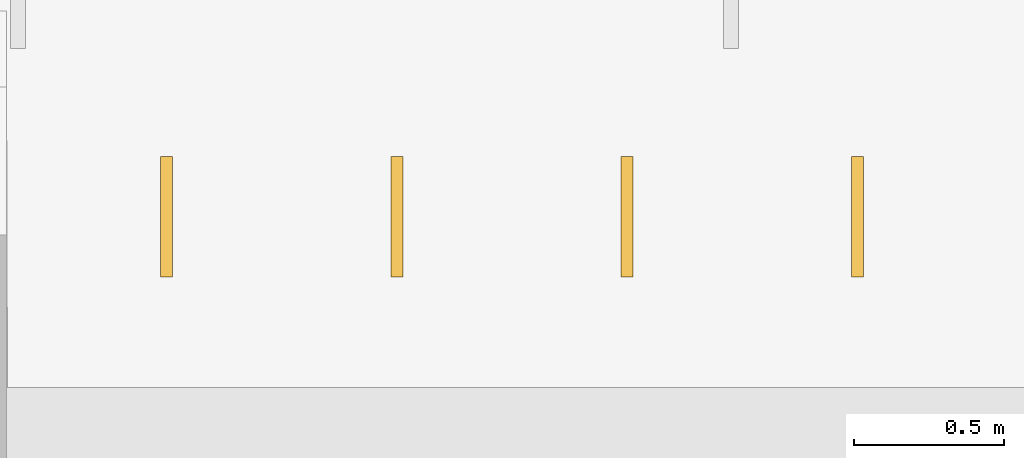
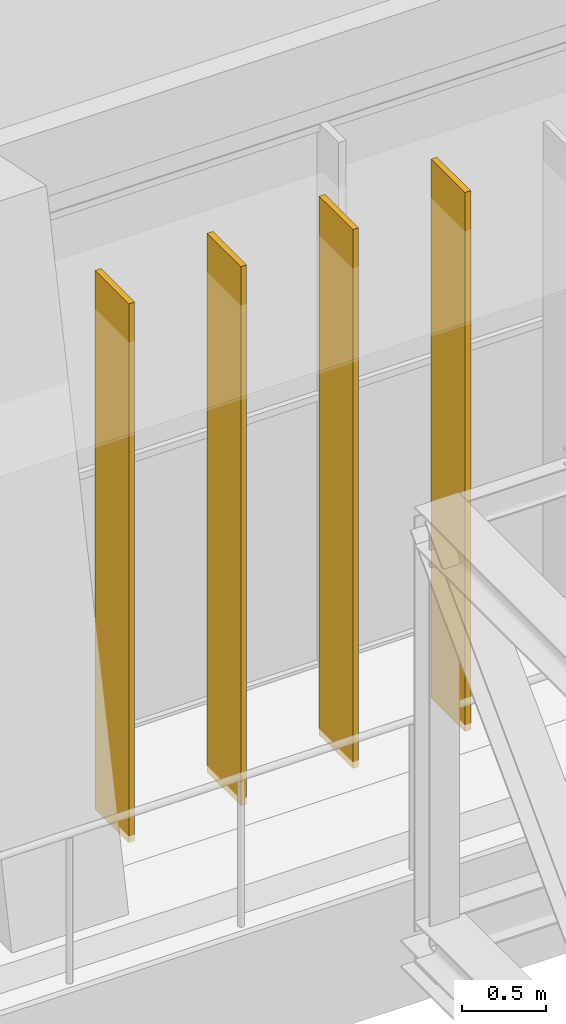
# One storey, part 132 of 141: 4 shading devices.
"""IFC4 building model written with IfcOpenShell, lengths in metres."""

from ifc_helpers import new_model, si_unit, direction, frame, origin, origin_2d, place, context, subcontext, project, spatial, rectangle, extrude, material, layer, layer_set, type_object, element, save


model = new_model("IFC4")

# Units and contexts
model_context = context("Model", 3, precision=1e-05, world=origin(), true_north=direction((0.0, 1.0)))
body_context = subcontext(model_context, "Body", "Model", "MODEL_VIEW")
ifc_project = project(units=[si_unit("LENGTHUNIT", "METRE"), si_unit("AREAUNIT", "SQUARE_METRE"), si_unit("VOLUMEUNIT", "CUBIC_METRE"), si_unit("PLANEANGLEUNIT", "RADIAN"), si_unit("MASSUNIT", "GRAM", prefix="KILO")], contexts=[model_context])

# Site, building, storey
site_placement = place(None, origin())
site = spatial("IfcSite", under=ifc_project, at=site_placement, CompositionType="ELEMENT")
building_placement = place(site_placement, origin())
building = spatial("IfcBuilding", under=site, at=building_placement, Name="Lantern Court Media Centre", CompositionType="ELEMENT")
storey_placement = place(building_placement, frame((0.0, 0.0, 9.60009765625)))
storey = spatial("IfcBuildingStorey", under=building, at=storey_placement, Name="L02", CompositionType="ELEMENT", Elevation=9.60009765625)

# Shading devices
ifc_material = material(Name="Bronze anodised aluminium louvre", Category="aluminium")
ifc_layer = layer(ifc_material, 0.0400390625)
ifc_layer_set = layer_set([ifc_layer], Name="Bronze anodised aluminium louvre")
shading_device_type = type_object("IfcShadingDeviceType", Name="Vertical louvre 40x400 under beam", PredefinedType="USERDEFINED", material=ifc_layer_set)
for number, where, z_axis, x_axis, name in (
    (1, (48.933349609375, 99.320068359375, 0.0), (0.0, 0.0, 1.0), (1.0, 0.0, 0.0), "Vertical louvre N inner L02"),
    (2, (49.699951171875, 99.320068359375, 0.0), (0.0, 0.0, 1.0), (1.0, 0.0, 0.0), "Vertical louvre N inner L02"),
    (3, (50.466552734375, 99.320068359375, 0.0), (0.0, 0.0, 1.0), (1.0, 0.0, 0.0), "Vertical louvre N inner L02"),
    (4, (51.2333984375, 99.320068359375, 0.0), (0.0, 0.0, 1.0), (1.0, 0.0, 0.0), "Vertical louvre N inner L02"),
):
    element("IfcShadingDevice", number, at=place(storey_placement, frame(where, z_axis=z_axis, x_axis=x_axis)), inside=storey, type_object=shading_device_type, Name=name, ObjectType="VERTICAL LOUVRE", PredefinedType="USERDEFINED", context=body_context, shape_type="SweptSolid", body=[
        extrude(rectangle(XDim=0.0400390625, YDim=0.39990234375, at=origin_2d()), origin(), (0.0, 0.0, 1.0), 3.89990234375),
    ])

save(model, "model.ifc")
